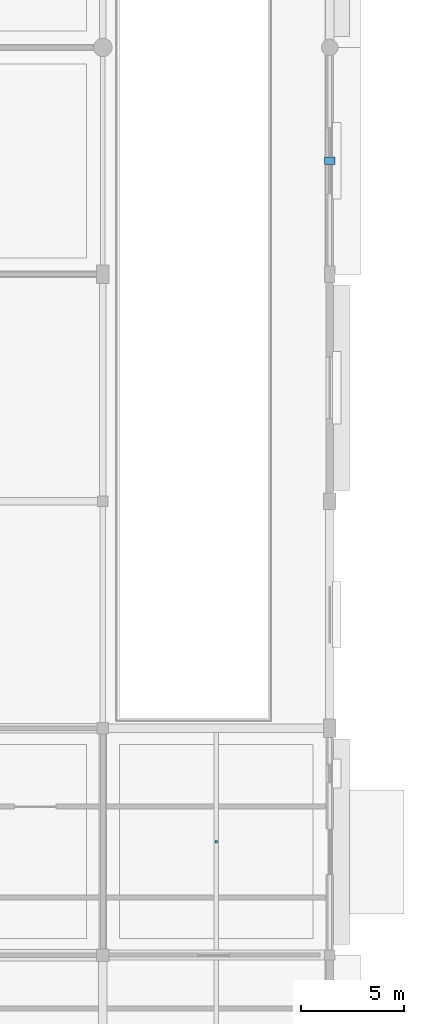
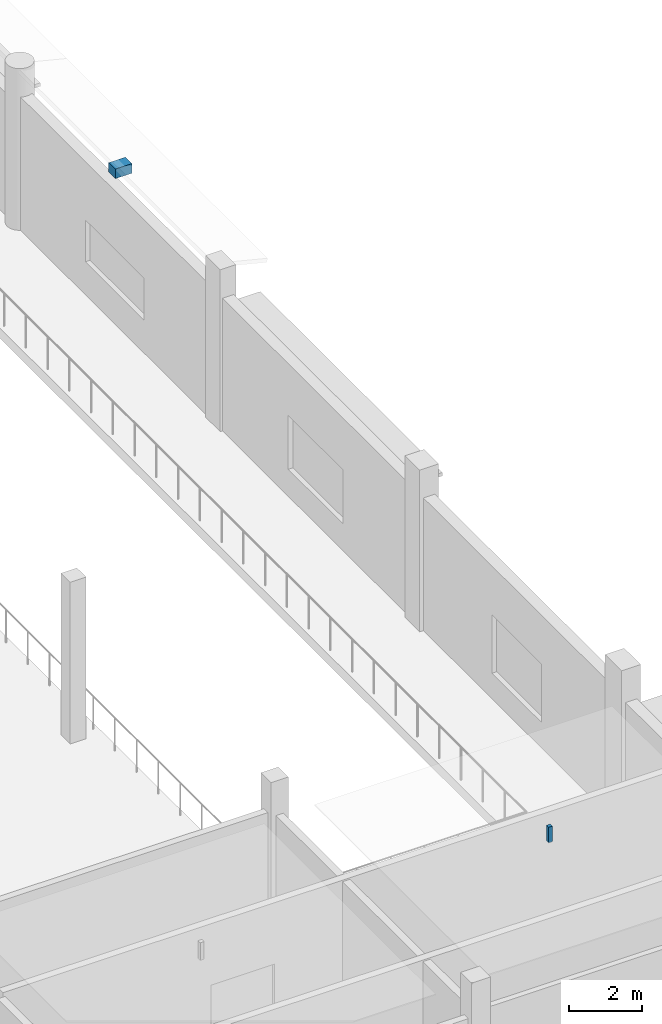
# One storey, part 90 of 120: 2 discrete accessories.
"""IFC4 building model written with IfcOpenShell, lengths in metres."""

from ifc_helpers import new_model, si_unit, direction, frame, origin, origin_2d, place, context, subcontext, project, spatial, rectangle, extrude, material, layer, layer_set, type_object, element, save


model = new_model("IFC4")

# Units and contexts
model_context = context("Model", 3, precision=1e-05, world=origin(), true_north=direction((0.0, 1.0)))
body_context = subcontext(model_context, "Body", "Model", "MODEL_VIEW")
ifc_project = project(units=[si_unit("LENGTHUNIT", "METRE"), si_unit("AREAUNIT", "SQUARE_METRE"), si_unit("VOLUMEUNIT", "CUBIC_METRE"), si_unit("PLANEANGLEUNIT", "RADIAN"), si_unit("MASSUNIT", "GRAM", prefix="KILO")], contexts=[model_context])

# Site, building, storey
site_placement = place(None, origin())
site = spatial("IfcSite", under=ifc_project, at=site_placement, CompositionType="ELEMENT")
building_placement = place(site_placement, origin())
building = spatial("IfcBuilding", under=site, at=building_placement, Name="Luwafu Chhajja Arena", CompositionType="ELEMENT")
storey_placement = place(building_placement, origin())
storey = spatial("IfcBuildingStorey", under=building, at=storey_placement, Name="L00", CompositionType="ELEMENT", Elevation=0.0)

# Discrete accessories
ifc_material = material(Name="Stainless steel bracket", Category="steel")
ifc_layer = layer(ifc_material, 0.179931640625, Name="Stainless steel bracket")
ifc_layer_set = layer_set([ifc_layer], Name="Stainless steel bracket")
discrete_accessory_type = type_object("IfcDiscreteAccessoryType", Name="Stainless Steel Facade Support Bracket", PredefinedType="BRACKET", material=ifc_layer_set)
discrete_accessory_1_placement = place(storey_placement, frame((198.0, 93.5, 4.97998046875), z_axis=(0.0, 0.0, 1.0), x_axis=(0.0, 1.0, 0.0)))
element("IfcDiscreteAccessory", 1, at=discrete_accessory_1_placement, inside=storey, type_object=discrete_accessory_type, Name="L00 Chhajja Eave Support Bracket 0117", PredefinedType="BRACKET", context=body_context, shape_type="SweptSolid", body=[
    extrude(rectangle(XDim=0.360107421875, YDim=0.52001953125, at=origin_2d()), origin(), (0.0, 0.0, 1.0), 0.320068359375),
])
discrete_accessory_2_placement = place(storey_placement, frame((192.5, 60.5, 4.59619140625), z_axis=(0.0, 0.0, 1.0), x_axis=(1.0, 0.0, 0.0)))
element("IfcDiscreteAccessory", 2, at=discrete_accessory_2_placement, inside=storey, type_object=discrete_accessory_type, Name="L00 Ceiling Suspension Hanger 024", PredefinedType="BRACKET", context=body_context, shape_type="SweptSolid", body=[
    extrude(rectangle(XDim=0.1201171875, YDim=0.1201171875, at=origin_2d()), origin(), (0.0, 0.0, 1.0), 0.513916015625),
])

save(model, "model.ifc")
